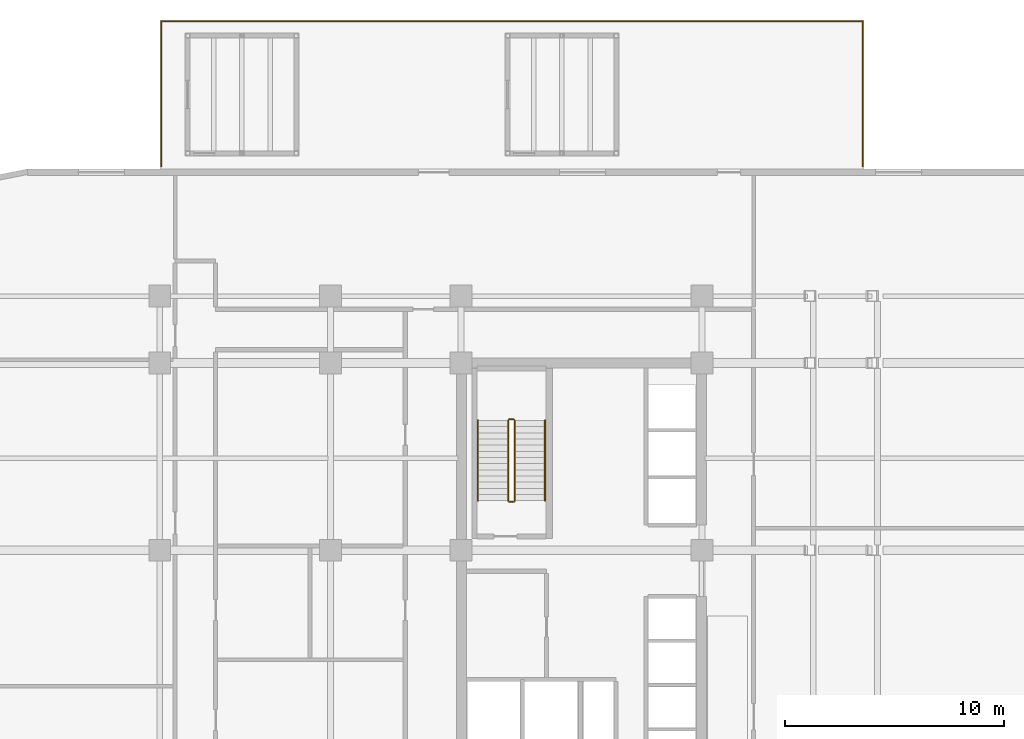
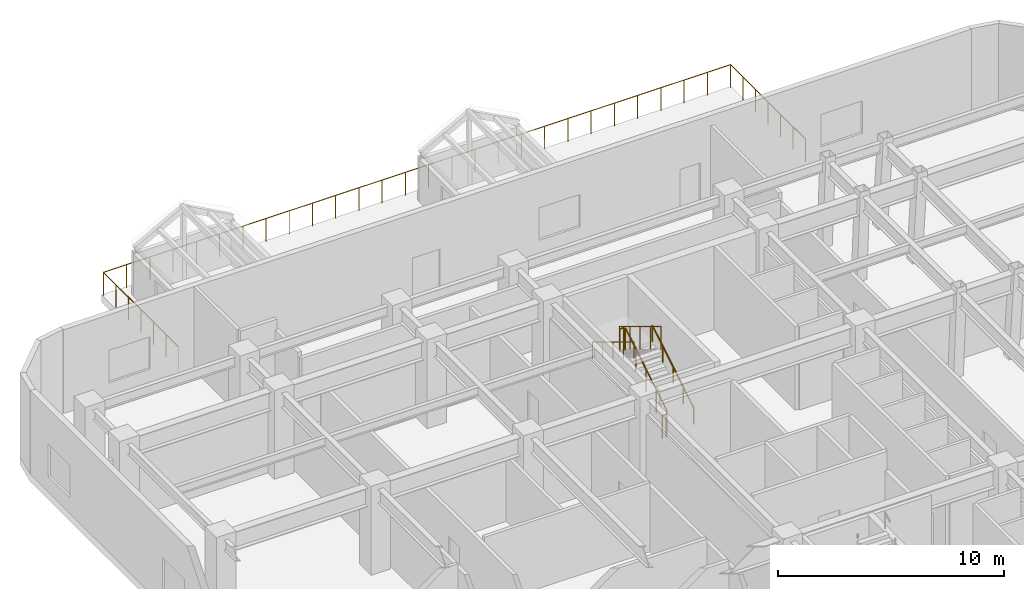
# One storey, part 18 of 18: 7 railings.
"""IFC4 building model written with IfcOpenShell, lengths in metres."""

from ifc_helpers import new_model, si_unit, direction, frame, origin, origin_2d, place, context, subcontext, project, spatial, circle, extrude, material, type_object, element, save


model = new_model("IFC4")

# Units and contexts
model_context = context("Model", 3, precision=1e-05, world=origin(), true_north=direction((0.0, 1.0)))
body_context = subcontext(model_context, "Body", "Model", "MODEL_VIEW")
ifc_project = project(units=[si_unit("LENGTHUNIT", "METRE"), si_unit("AREAUNIT", "SQUARE_METRE"), si_unit("VOLUMEUNIT", "CUBIC_METRE"), si_unit("PLANEANGLEUNIT", "RADIAN"), si_unit("MASSUNIT", "GRAM", prefix="KILO")], contexts=[model_context])

# Site, building, storey
site_placement = place(None, origin())
site = spatial("IfcSite", under=ifc_project, at=site_placement, CompositionType="ELEMENT")
building_placement = place(site_placement, origin())
building = spatial("IfcBuilding", under=site, at=building_placement, Name="Ochreholt Gables", CompositionType="ELEMENT")
storey_placement = place(building_placement, frame((0.0, 0.0, 4.800048828125)))
storey = spatial("IfcBuildingStorey", under=building, at=storey_placement, Name="L01", CompositionType="ELEMENT", Elevation=4.800048828125)

# Railings
ifc_material_1 = material(Name="Painted Steel Stair Guardrail", Category="steel")
railing_type_1 = type_object("IfcRailingType", Name="RL-ST-GUARD", PredefinedType="GUARDRAIL", material=ifc_material_1)
railing_1_placement = place(storey_placement, frame((26.64990234375, 32.4599609375, 0.17138671875)))
element("IfcRailing", 1, at=railing_1_placement, inside=storey, type_object=railing_type_1, Name="L01 ST-2 stair guard 1", PredefinedType="GUARDRAIL", context=body_context, shape_type="SweptSolid", body=[
    extrude(circle(Radius=0.02392578125, at=origin_2d()), frame((0.0, 0.0, 1.22607421875), z_axis=(0.0, 0.85450609292, 0.519441370283), x_axis=(-1.0, 0.0, 0.0)), (0.0, 0.0, 1.0), 4.290283203125),
    extrude(circle(Radius=0.02099609375, at=origin_2d()), origin(), (0.0, 0.0, 1.0), 1.201904296875),
    extrude(circle(Radius=0.02099609375, at=origin_2d()), frame((0.0, 0.91650390625, 0.55712890625)), (0.0, 0.0, 1.0), 1.201904296875),
    extrude(circle(Radius=0.02099609375, at=origin_2d()), frame((0.0, 1.8330078125, 1.1142578125)), (0.0, 0.0, 1.0), 1.201904296875),
    extrude(circle(Radius=0.02099609375, at=origin_2d()), frame((0.0, 2.74951171875, 1.67138671875)), (0.0, 0.0, 1.0), 1.201904296875),
    extrude(circle(Radius=0.02099609375, at=origin_2d()), frame((0.0, 3.666015625, 2.228515625)), (0.0, 0.0, 1.0), 1.201904296875),
])
railing_2_placement = place(storey_placement, frame((26.60009765625, 36.176025390625, 2.39990234375)))
element("IfcRailing", 2, at=railing_2_placement, inside=storey, type_object=railing_type_1, Name="L01 ST-2 stair guard 2", PredefinedType="GUARDRAIL", context=body_context, shape_type="SweptSolid", body=[
    extrude(circle(Radius=0.02392578125, at=origin_2d()), frame((0.0, 0.0, 1.22607421875), z_axis=(-1.0, 0.0, 0.0), x_axis=(0.0, -1.0, 0.0)), (0.0, 0.0, 1.0), 0.2001953125),
    extrude(circle(Radius=0.02099609375, at=origin_2d()), origin(), (0.0, 0.0, 1.0), 1.201904296875),
    extrude(circle(Radius=0.02099609375, at=origin_2d()), frame((-0.2001953125, 0.0, 0.0)), (0.0, 0.0, 1.0), 1.201904296875),
])
railing_3_placement = place(storey_placement, frame((26.35009765625, 36.1259765625, 2.5712890625)))
element("IfcRailing", 3, at=railing_3_placement, inside=storey, type_object=railing_type_1, Name="L01 ST-2 stair guard 3", PredefinedType="GUARDRAIL", context=body_context, shape_type="SweptSolid", body=[
    extrude(circle(Radius=0.02392578125, at=origin_2d()), frame((0.0, 0.0, 1.22607421875), z_axis=(0.0, -0.854480833863, 0.519482920374), x_axis=(1.0, 0.0, 0.0)), (0.0, 0.0, 1.0), 4.290283203125),
    extrude(circle(Radius=0.02099609375, at=origin_2d()), origin(), (0.0, 0.0, 1.0), 1.201904296875),
    extrude(circle(Radius=0.02099609375, at=origin_2d()), frame((0.0, -0.91650390625, 0.55712890625)), (0.0, 0.0, 1.0), 1.201904296875),
    extrude(circle(Radius=0.02099609375, at=origin_2d()), frame((0.0, -1.8330078125, 1.1142578125)), (0.0, 0.0, 1.0), 1.201904296875),
    extrude(circle(Radius=0.02099609375, at=origin_2d()), frame((0.0, -2.74951171875, 1.671630859375)), (0.0, 0.0, 1.0), 1.201904296875),
    extrude(circle(Radius=0.02099609375, at=origin_2d()), frame((0.0, -3.666015625, 2.228759765625)), (0.0, 0.0, 1.0), 1.201904296875),
])
railing_4_placement = place(storey_placement, frame((26.60009765625, 32.409912109375, 0.0)))
element("IfcRailing", 4, at=railing_4_placement, inside=storey, type_object=railing_type_1, Name="L01 ST-2 stair guard 4", PredefinedType="GUARDRAIL", context=body_context, shape_type="SweptSolid", body=[
    extrude(circle(Radius=0.02392578125, at=origin_2d()), frame((0.0, 0.0, 1.22607421875), z_axis=(-1.0, 0.0, 0.0), x_axis=(0.0, -1.0, 0.0)), (0.0, 0.0, 1.0), 0.2001953125),
    extrude(circle(Radius=0.02099609375, at=origin_2d()), origin(), (0.0, 0.0, 1.0), 1.201904296875),
    extrude(circle(Radius=0.02099609375, at=origin_2d()), frame((-0.2001953125, 0.0, 0.0)), (0.0, 0.0, 1.0), 1.201904296875),
])
ifc_material_2 = material(Name="Brushed Stainless Steel Wall Handrail", Category="steel")
railing_type_2 = type_object("IfcRailingType", Name="RL-ST-HAND", PredefinedType="HANDRAIL", material=ifc_material_2)
railing_5_placement = place(storey_placement, frame((28.030029296875, 32.4599609375, 0.17138671875)))
element("IfcRailing", 5, at=railing_5_placement, inside=storey, type_object=railing_type_2, Name="L01 ST-2 stair handrail 1", PredefinedType="HANDRAIL", context=body_context, shape_type="SweptSolid", body=[
    extrude(circle(Radius=0.02392578125, at=origin_2d()), frame((0.0, 0.0, 0.8759765625), z_axis=(0.0, 0.85450609292, 0.519441370283), x_axis=(-1.0, 0.0, 0.0)), (0.0, 0.0, 1.0), 4.290283203125),
    extrude(circle(Radius=0.02099609375, at=origin_2d()), origin(), (0.0, 0.0, 1.0), 0.851806640625),
    extrude(circle(Radius=0.02099609375, at=origin_2d()), frame((0.0, 0.91650390625, 0.55712890625)), (0.0, 0.0, 1.0), 0.851806640625),
    extrude(circle(Radius=0.02099609375, at=origin_2d()), frame((0.0, 1.8330078125, 1.1142578125)), (0.0, 0.0, 1.0), 0.851806640625),
    extrude(circle(Radius=0.02099609375, at=origin_2d()), frame((0.0, 2.74951171875, 1.67138671875)), (0.0, 0.0, 1.0), 0.851806640625),
    extrude(circle(Radius=0.02099609375, at=origin_2d()), frame((0.0, 3.666015625, 2.228515625)), (0.0, 0.0, 1.0), 0.851806640625),
])
railing_6_placement = place(storey_placement, frame((24.969970703125, 36.1259765625, 2.5712890625)))
element("IfcRailing", 6, at=railing_6_placement, inside=storey, type_object=railing_type_2, Name="L01 ST-2 stair handrail 2", PredefinedType="HANDRAIL", context=body_context, shape_type="SweptSolid", body=[
    extrude(circle(Radius=0.02392578125, at=origin_2d()), frame((0.0, 0.0, 0.8759765625), z_axis=(0.0, -0.854480833863, 0.519482920374), x_axis=(1.0, 0.0, 0.0)), (0.0, 0.0, 1.0), 4.290283203125),
    extrude(circle(Radius=0.02099609375, at=origin_2d()), origin(), (0.0, 0.0, 1.0), 0.851806640625),
    extrude(circle(Radius=0.02099609375, at=origin_2d()), frame((0.0, -0.91650390625, 0.55712890625)), (0.0, 0.0, 1.0), 0.851806640625),
    extrude(circle(Radius=0.02099609375, at=origin_2d()), frame((0.0, -1.8330078125, 1.1142578125)), (0.0, 0.0, 1.0), 0.851806640625),
    extrude(circle(Radius=0.02099609375, at=origin_2d()), frame((0.0, -2.74951171875, 1.671630859375)), (0.0, 0.0, 1.0), 0.851806640625),
    extrude(circle(Radius=0.02099609375, at=origin_2d()), frame((0.0, -3.666015625, 2.228759765625)), (0.0, 0.0, 1.0), 0.851806640625),
])
ifc_material_3 = material(Name="Laminated Glass and Anodized Aluminium Guardrail", Category="aluminium")
railing_type_3 = type_object("IfcRailingType", Name="RL-TER-1250", PredefinedType="GUARDRAIL", material=ifc_material_3)
railing_7_placement = place(storey_placement, frame((10.510009765625, 47.72021484375, 0.0)))
element("IfcRailing", 7, at=railing_7_placement, inside=storey, type_object=railing_type_3, Name="L01 Terrace Perimeter Guardrail TR-L01-N", PredefinedType="GUARDRAIL", context=body_context, shape_type="SweptSolid", body=[
    extrude(circle(Radius=0.02392578125, at=origin_2d()), frame((0.0, 0.0, 1.22607421875), z_axis=(0.0, 1.0, 0.0), x_axis=(-1.0, 0.0, 0.0)), (0.0, 0.0, 1.0), 6.619873046875),
    extrude(circle(Radius=0.02392578125, at=origin_2d()), frame((0.0, 6.619873046875, 1.22607421875), z_axis=(1.0, 0.0, 0.0), x_axis=(0.0, 1.0, 0.0)), (0.0, 0.0, 1.0), 32.030029296875),
    extrude(circle(Radius=0.02392578125, at=origin_2d()), frame((32.030029296875, 6.619873046875, 1.22607421875), z_axis=(0.0, -1.0, 0.0), x_axis=(1.0, 0.0, 0.0)), (0.0, 0.0, 1.0), 6.619873046875),
    extrude(circle(Radius=0.02099609375, at=origin_2d()), origin(), (0.0, 0.0, 1.0), 1.201904296875),
    extrude(circle(Radius=0.02099609375, at=origin_2d()), frame((0.0, 1.103271484375, 0.0)), (0.0, 0.0, 1.0), 1.201904296875),
    extrude(circle(Radius=0.02099609375, at=origin_2d()), frame((0.0, 2.20654296875, 0.0)), (0.0, 0.0, 1.0), 1.201904296875),
    extrude(circle(Radius=0.02099609375, at=origin_2d()), frame((0.0, 3.31005859375, 0.0)), (0.0, 0.0, 1.0), 1.201904296875),
    extrude(circle(Radius=0.02099609375, at=origin_2d()), frame((0.0, 4.413330078125, 0.0)), (0.0, 0.0, 1.0), 1.201904296875),
    extrude(circle(Radius=0.02099609375, at=origin_2d()), frame((0.0, 5.5166015625, 0.0)), (0.0, 0.0, 1.0), 1.201904296875),
    extrude(circle(Radius=0.02099609375, at=origin_2d()), frame((0.0, 6.619873046875, 0.0)), (0.0, 0.0, 1.0), 1.201904296875),
    extrude(circle(Radius=0.02099609375, at=origin_2d()), frame((1.186279296875, 6.619873046875, 0.0)), (0.0, 0.0, 1.0), 1.201904296875),
    extrude(circle(Radius=0.02099609375, at=origin_2d()), frame((2.37255859375, 6.619873046875, 0.0)), (0.0, 0.0, 1.0), 1.201904296875),
    extrude(circle(Radius=0.02099609375, at=origin_2d()), frame((3.558837890625, 6.619873046875, 0.0)), (0.0, 0.0, 1.0), 1.201904296875),
    extrude(circle(Radius=0.02099609375, at=origin_2d()), frame((4.7451171875, 6.619873046875, 0.0)), (0.0, 0.0, 1.0), 1.201904296875),
    extrude(circle(Radius=0.02099609375, at=origin_2d()), frame((5.931396484375, 6.619873046875, 0.0)), (0.0, 0.0, 1.0), 1.201904296875),
    extrude(circle(Radius=0.02099609375, at=origin_2d()), frame((7.11767578125, 6.619873046875, 0.0)), (0.0, 0.0, 1.0), 1.201904296875),
    extrude(circle(Radius=0.02099609375, at=origin_2d()), frame((8.30419921875, 6.619873046875, 0.0)), (0.0, 0.0, 1.0), 1.201904296875),
    extrude(circle(Radius=0.02099609375, at=origin_2d()), frame((9.490478515625, 6.619873046875, 0.0)), (0.0, 0.0, 1.0), 1.201904296875),
    extrude(circle(Radius=0.02099609375, at=origin_2d()), frame((10.6767578125, 6.619873046875, 0.0)), (0.0, 0.0, 1.0), 1.201904296875),
    extrude(circle(Radius=0.02099609375, at=origin_2d()), frame((11.863037109375, 6.619873046875, 0.0)), (0.0, 0.0, 1.0), 1.201904296875),
    extrude(circle(Radius=0.02099609375, at=origin_2d()), frame((13.04931640625, 6.619873046875, 0.0)), (0.0, 0.0, 1.0), 1.201904296875),
    extrude(circle(Radius=0.02099609375, at=origin_2d()), frame((14.235595703125, 6.619873046875, 0.0)), (0.0, 0.0, 1.0), 1.201904296875),
    extrude(circle(Radius=0.02099609375, at=origin_2d()), frame((15.421875, 6.619873046875, 0.0)), (0.0, 0.0, 1.0), 1.201904296875),
    extrude(circle(Radius=0.02099609375, at=origin_2d()), frame((16.608154296875, 6.619873046875, 0.0)), (0.0, 0.0, 1.0), 1.201904296875),
    extrude(circle(Radius=0.02099609375, at=origin_2d()), frame((17.79443359375, 6.619873046875, 0.0)), (0.0, 0.0, 1.0), 1.201904296875),
    extrude(circle(Radius=0.02099609375, at=origin_2d()), frame((18.980712890625, 6.619873046875, 0.0)), (0.0, 0.0, 1.0), 1.201904296875),
    extrude(circle(Radius=0.02099609375, at=origin_2d()), frame((20.1669921875, 6.619873046875, 0.0)), (0.0, 0.0, 1.0), 1.201904296875),
    extrude(circle(Radius=0.02099609375, at=origin_2d()), frame((21.353271484375, 6.619873046875, 0.0)), (0.0, 0.0, 1.0), 1.201904296875),
    extrude(circle(Radius=0.02099609375, at=origin_2d()), frame((22.53955078125, 6.619873046875, 0.0)), (0.0, 0.0, 1.0), 1.201904296875),
    extrude(circle(Radius=0.02099609375, at=origin_2d()), frame((23.725830078125, 6.619873046875, 0.0)), (0.0, 0.0, 1.0), 1.201904296875),
    extrude(circle(Radius=0.02099609375, at=origin_2d()), frame((24.912353515625, 6.619873046875, 0.0)), (0.0, 0.0, 1.0), 1.201904296875),
    extrude(circle(Radius=0.02099609375, at=origin_2d()), frame((26.0986328125, 6.619873046875, 0.0)), (0.0, 0.0, 1.0), 1.201904296875),
    extrude(circle(Radius=0.02099609375, at=origin_2d()), frame((27.284912109375, 6.619873046875, 0.0)), (0.0, 0.0, 1.0), 1.201904296875),
    extrude(circle(Radius=0.02099609375, at=origin_2d()), frame((28.47119140625, 6.619873046875, 0.0)), (0.0, 0.0, 1.0), 1.201904296875),
    extrude(circle(Radius=0.02099609375, at=origin_2d()), frame((29.657470703125, 6.619873046875, 0.0)), (0.0, 0.0, 1.0), 1.201904296875),
    extrude(circle(Radius=0.02099609375, at=origin_2d()), frame((30.84375, 6.619873046875, 0.0)), (0.0, 0.0, 1.0), 1.201904296875),
    extrude(circle(Radius=0.02099609375, at=origin_2d()), frame((32.030029296875, 6.619873046875, 0.0)), (0.0, 0.0, 1.0), 1.201904296875),
    extrude(circle(Radius=0.02099609375, at=origin_2d()), frame((32.030029296875, 5.5166015625, 0.0)), (0.0, 0.0, 1.0), 1.201904296875),
    extrude(circle(Radius=0.02099609375, at=origin_2d()), frame((32.030029296875, 4.413330078125, 0.0)), (0.0, 0.0, 1.0), 1.201904296875),
    extrude(circle(Radius=0.02099609375, at=origin_2d()), frame((32.030029296875, 3.31005859375, 0.0)), (0.0, 0.0, 1.0), 1.201904296875),
    extrude(circle(Radius=0.02099609375, at=origin_2d()), frame((32.030029296875, 2.20654296875, 0.0)), (0.0, 0.0, 1.0), 1.201904296875),
    extrude(circle(Radius=0.02099609375, at=origin_2d()), frame((32.030029296875, 1.103271484375, 0.0)), (0.0, 0.0, 1.0), 1.201904296875),
    extrude(circle(Radius=0.02099609375, at=origin_2d()), frame((32.030029296875, 0.0, 0.0)), (0.0, 0.0, 1.0), 1.201904296875),
])

save(model, "model.ifc")
